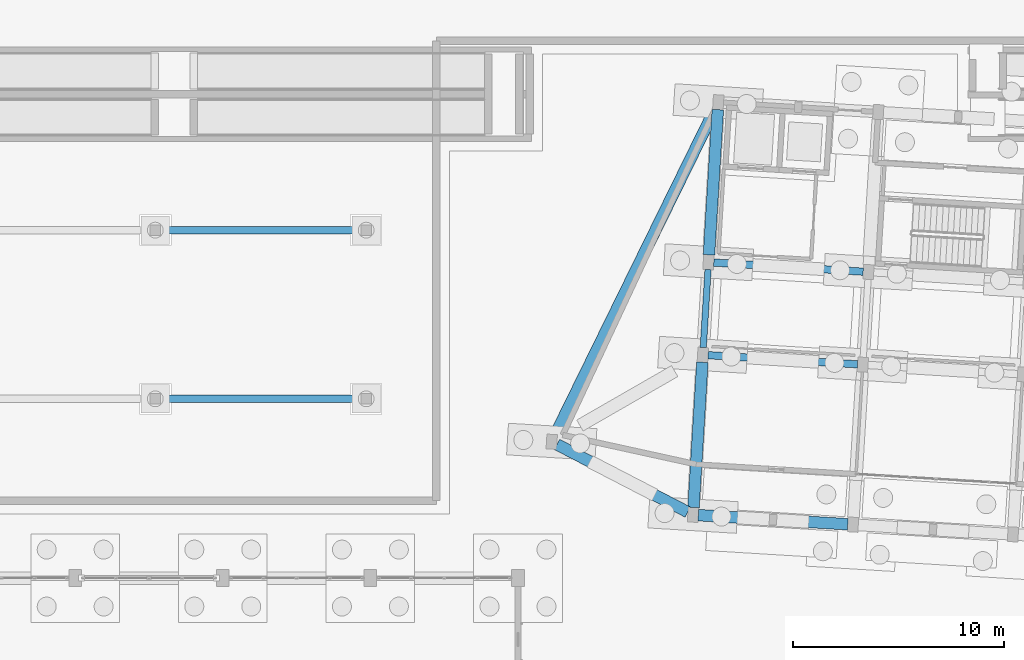
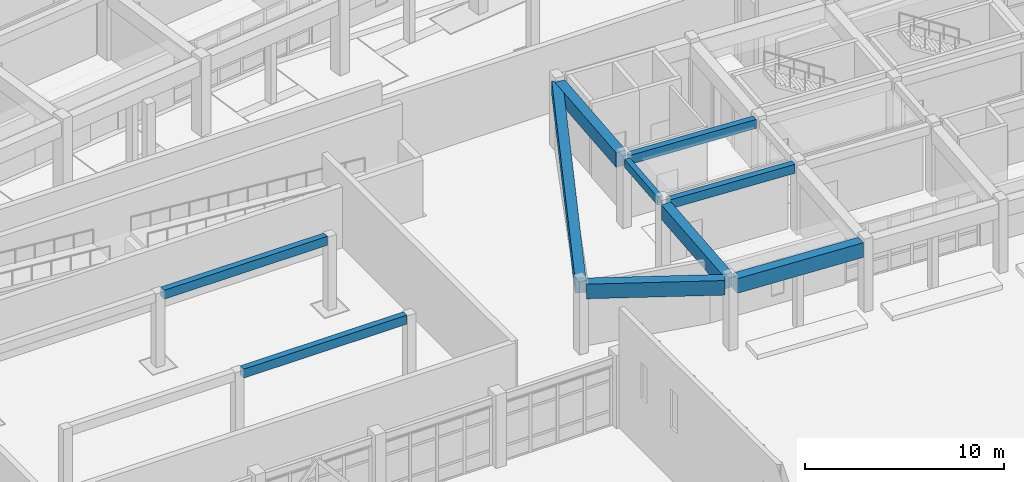
# One storey, part 28 of 154: 10 beams.
"""IFC4 building model written with IfcOpenShell, lengths in metres."""

from ifc_helpers import new_model, si_unit, direction, frame, origin, origin_2d, place, context, subcontext, project, spatial, rectangle, extrude, material, material_profile, profile_set, type_object, element, save


model = new_model("IFC4")

# Units and contexts
model_context = context("Model", 3, precision=1e-05, world=origin(), true_north=direction((0.0, 1.0)))
body_context = subcontext(model_context, "Body", "Model", "MODEL_VIEW")
ifc_project = project(units=[si_unit("LENGTHUNIT", "METRE"), si_unit("AREAUNIT", "SQUARE_METRE"), si_unit("VOLUMEUNIT", "CUBIC_METRE"), si_unit("PLANEANGLEUNIT", "RADIAN"), si_unit("MASSUNIT", "GRAM", prefix="KILO")], contexts=[model_context])

# Site, building, storey
site_placement = place(None, origin())
site = spatial("IfcSite", under=ifc_project, at=site_placement, CompositionType="ELEMENT")
building_placement = place(site_placement, origin())
building = spatial("IfcBuilding", under=site, at=building_placement, Name="Kestramere Prow Commons", CompositionType="ELEMENT")
storey_placement = place(building_placement, origin())
storey = spatial("IfcBuildingStorey", under=building, at=storey_placement, Name="L00", CompositionType="ELEMENT", Elevation=0.0)

# Beams
ifc_material = material(Name="Precast concrete C40/50", Category="concrete")
ifc_material_profile_1 = material_profile(ifc_material, rectangle(XDim=0.35009765625, YDim=0.550048828125, at=origin_2d()), Name="PC-BM 350x550")
ifc_profile_set_1 = profile_set([ifc_material_profile_1], Name="Precast concrete C40/50")
beam_type_1 = type_object("IfcBeamType", Name="BM-C1 PC-BM 350x550", PredefinedType="BEAM", material=ifc_profile_set_1)
for number, where, z_axis, x_axis, name in (
    (1, (60.213623046875, 54.070556640625, 3.97509765625), (0.998135568114, -0.061035953884, 0.0), (0.061035953884, 0.998135568114, 0.0), "Block C L00 Longitudinal Beam 2-1"),
    (2, (60.482177734375, 58.46240234375, 3.97509765625), (0.998133472633, -0.061070212127, 0.0), (0.061070212127, 0.998133472633, 0.0), "Block C L00 Longitudinal Beam 3-1"),
):
    element("IfcBeam", number, at=place(storey_placement, frame(where, z_axis=z_axis, x_axis=x_axis)), inside=storey, type_object=beam_type_1, Name=name, PredefinedType="BEAM", context=body_context, shape_type="SweptSolid", body=[
        extrude(rectangle(XDim=0.35009765625, YDim=0.550048828125, at=origin_2d()), origin(), (0.0, 0.0, 1.0), 7.099853515625),
    ])
for number, where, z_axis, x_axis, name in (
    (3, (34.25, 52.0, 3.925048828125), (1.0, 0.0, 0.0), (0.0, 1.0, 0.0), "Courtyard Support Girder 52-2"),
    (4, (34.25, 60.0, 3.925048828125), (1.0, 0.0, 0.0), (0.0, 1.0, 0.0), "Courtyard Support Girder 60-2"),
):
    element("IfcBeam", number, at=place(storey_placement, frame(where, z_axis=z_axis, x_axis=x_axis)), inside=storey, type_object=beam_type_1, Name=name, PredefinedType="BEAM", context=body_context, shape_type="SweptSolid", body=[
        extrude(rectangle(XDim=0.35009765625, YDim=0.550048828125, at=origin_2d()), origin(), (0.0, 0.0, 1.0), 9.5),
    ])
ifc_material_profile_2 = material_profile(ifc_material, rectangle(XDim=0.300048828125, YDim=0.5, at=origin_2d()), Name="PC-BM 300x500")
ifc_profile_set_2 = profile_set([ifc_material_profile_2], Name="Precast concrete C40/50")
beam_type_2 = type_object("IfcBeamType", Name="BM-TIE-01 PC-BM 300x500", PredefinedType="BEAM", material=ifc_profile_set_2)
beam_1_placement = place(storey_placement, frame((59.9853515625, 54.43505859375, 4.0), z_axis=(0.061034934762, 0.998135630432, 0.0), x_axis=(-0.998135630432, 0.061034934762, 0.0)))
element("IfcBeam", 5, at=beam_1_placement, inside=storey, type_object=beam_type_2, Name="Block C L00 Transverse Beam 1-2", PredefinedType="BEAM", context=body_context, shape_type="SweptSolid", body=[
    extrude(rectangle(XDim=0.300048828125, YDim=0.5, at=origin_2d()), origin(), (0.0, 0.0, 1.0), 3.699951171875),
])
ifc_material_profile_3 = material_profile(ifc_material, rectangle(XDim=0.550048828125, YDim=0.89990234375, at=origin_2d()), Name="PC-TG 550x900")
ifc_profile_set_3 = profile_set([ifc_material_profile_3], Name="Precast concrete C40/50")
beam_type_3 = type_object("IfcBeamType", Name="TG-01 PC-TG 550x900 (EX)", PredefinedType="BEAM", material=ifc_profile_set_3)
beam_2_placement = place(storey_placement, frame((59.251220703125, 46.628662109375, 3.800048828125), z_axis=(-0.888240269485, 0.459379171998, 0.0), x_axis=(-0.459379171998, -0.888240269485, 0.0)))
element("IfcBeam", 6, at=beam_2_placement, inside=storey, type_object=beam_type_3, Name="Block C L00 Prow Facet Beam S", PredefinedType="BEAM", context=body_context, shape_type="SweptSolid", body=[
    extrude(rectangle(XDim=0.550048828125, YDim=0.89990234375, at=origin_2d()), origin(), (0.0, 0.0, 1.0), 6.98388671875),
])
beam_3_placement = place(storey_placement, frame((60.5732421875, 65.81201171875, 3.800048828125), z_axis=(-0.440448933016, -0.897777665909, 0.0), x_axis=(0.897777665909, -0.440448933016, 0.0)))
element("IfcBeam", 7, at=beam_3_placement, inside=storey, type_object=beam_type_3, Name="Block C L00 Prow Facet Beam N", PredefinedType="BEAM", context=body_context, shape_type="SweptSolid", body=[
    extrude(rectangle(XDim=0.550048828125, YDim=0.89990234375, at=origin_2d()), origin(), (0.0, 0.0, 1.0), 17.37060546875),
])
beam_4_placement = place(storey_placement, frame((59.74951171875, 46.484619140625, 3.800048828125), z_axis=(0.998135568114, -0.061035953884, 0.0), x_axis=(0.061035953884, 0.998135568114, 0.0)))
element("IfcBeam", 8, at=beam_4_placement, inside=storey, type_object=beam_type_3, Name="Block C L00 Longitudinal Beam 1-1", PredefinedType="BEAM", context=body_context, shape_type="SweptSolid", body=[
    extrude(rectangle(XDim=0.550048828125, YDim=0.89990234375, at=origin_2d()), origin(), (0.0, 0.0, 1.0), 7.099853515625),
])
for number, where, z_axis, x_axis, name in (
    (9, (59.521484375, 46.849365234375, 3.800048828125), (0.061034526959, 0.998135655369, 0.0), (-0.998135655369, 0.061034526959, 0.0), "Block C L00 S Colonnade Transfer Girder 1"),
    (10, (60.25390625, 58.826904296875, 3.800048828125), (0.061069777372, 0.998133499233, 0.0), (-0.998133499233, 0.061069777372, 0.0), "Block C L00 N Colonnade Transfer Girder 1"),
):
    element("IfcBeam", number, at=place(storey_placement, frame(where, z_axis=z_axis, x_axis=x_axis)), inside=storey, type_object=beam_type_3, Name=name, PredefinedType="BEAM", context=body_context, shape_type="SweptSolid", body=[
        extrude(rectangle(XDim=0.550048828125, YDim=0.89990234375, at=origin_2d()), origin(), (0.0, 0.0, 1.0), 6.900146484375),
    ])

save(model, "model.ifc")
